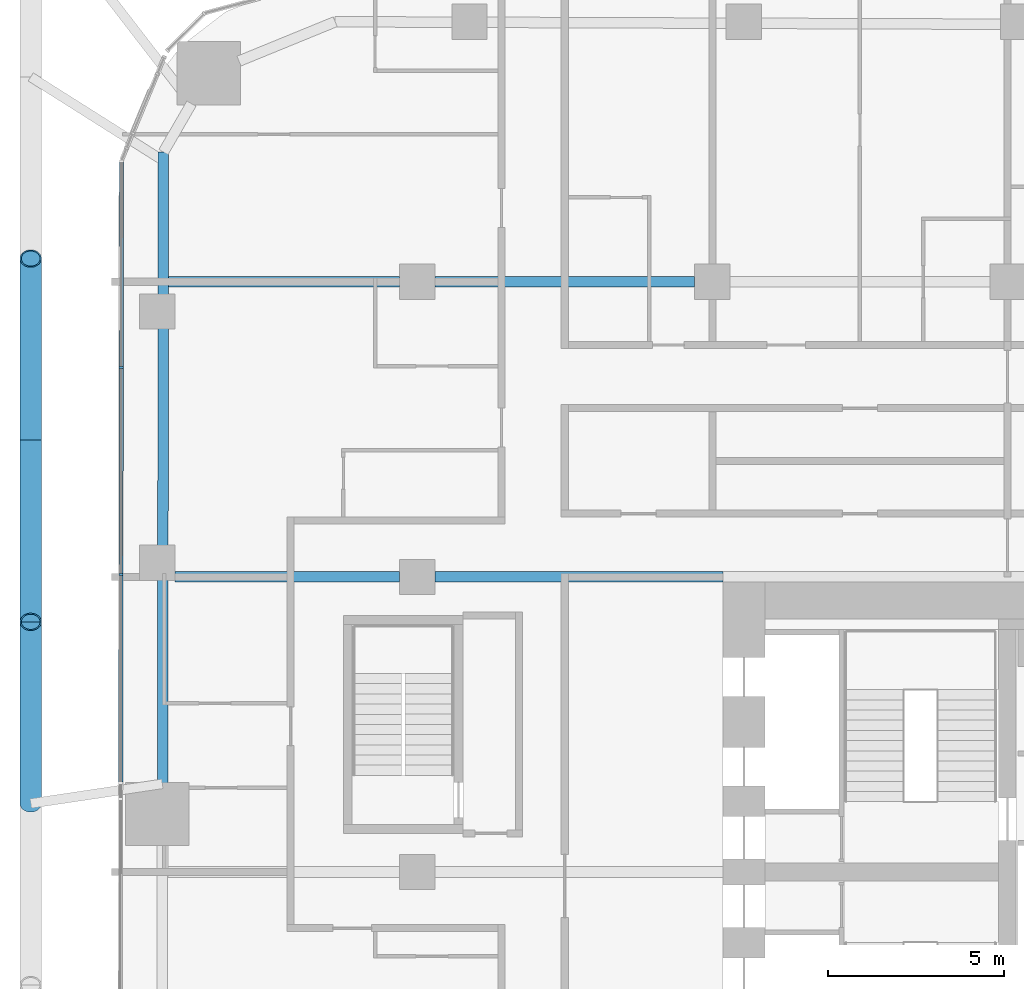
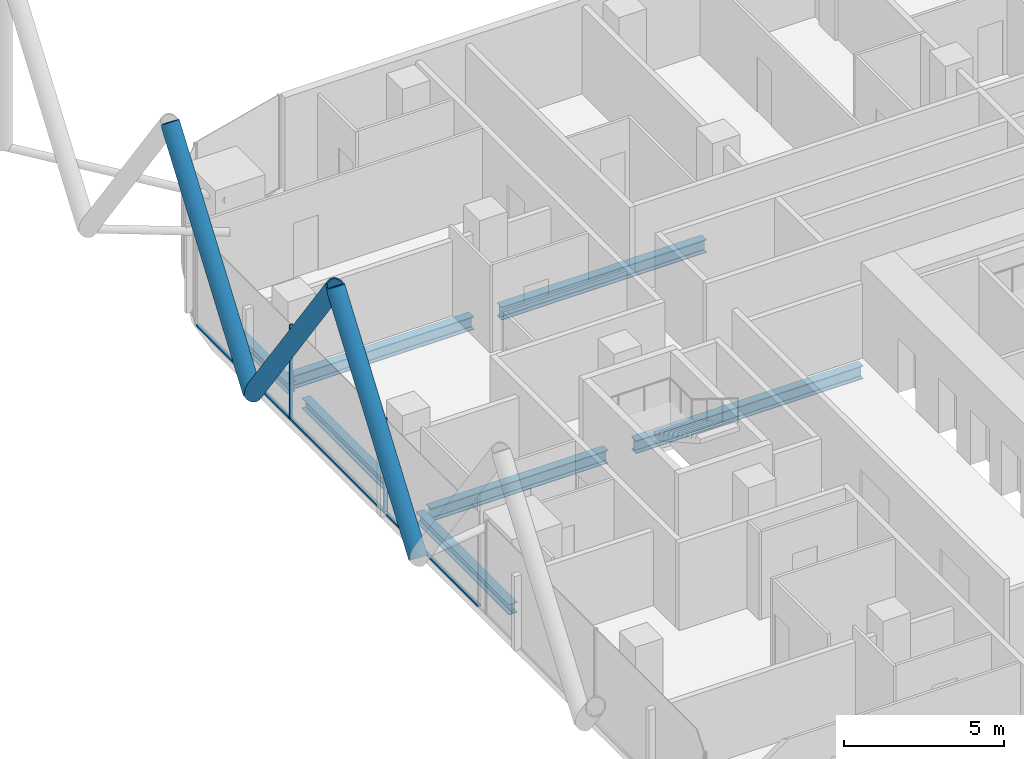
# One storey, part 9 of 38: 8 members, 7 beams, 1 element without a shape of its own.
"""IFC4 building model written with IfcOpenShell, lengths in metres."""

from ifc_helpers import new_model, si_unit, direction, frame, origin, origin_2d, place, context, subcontext, project, spatial, rectangle, hollow_circle, i_section, extrude, material, layer, layer_set, material_profile, profile_set, type_object, element, aggregate, save


model = new_model("IFC4")

# Units and contexts
model_context = context("Model", 3, precision=1e-05, world=origin(), true_north=direction((0.0, 1.0)))
body_context = subcontext(model_context, "Body", "Model", "MODEL_VIEW")
ifc_project = project(units=[si_unit("LENGTHUNIT", "METRE"), si_unit("AREAUNIT", "SQUARE_METRE"), si_unit("VOLUMEUNIT", "CUBIC_METRE"), si_unit("PLANEANGLEUNIT", "RADIAN"), si_unit("MASSUNIT", "GRAM", prefix="KILO")], contexts=[model_context])

# Site, building, storey
site_placement = place(None, origin())
site = spatial("IfcSite", under=ifc_project, at=site_placement, CompositionType="ELEMENT")
building_placement = place(site_placement, origin())
building = spatial("IfcBuilding", under=site, at=building_placement, Name="Marenta Gate Hotel Tower", CompositionType="ELEMENT")
storey_placement = place(building_placement, frame((0.0, 0.0, 68.89990234375)))
storey = spatial("IfcBuildingStorey", under=building, at=storey_placement, Name="L15", CompositionType="ELEMENT", Elevation=68.89990234375)

# Members
ifc_material_1 = material(Name="Steel S355J2W", Category="steel")
ifc_material_profile_1 = material_profile(ifc_material_1, hollow_circle(Radius=0.304931640625, WallThickness=0.0400390625, at=origin_2d()), Name="CHS 610x40")
ifc_profile_set_1 = profile_set([ifc_material_profile_1], Name="Steel S355J2W")
member_type_1 = type_object("IfcMemberType", Name="Diagrid diagonal Z1 CHS 610x40", PredefinedType="BRACE", material=ifc_profile_set_1)
member_1_placement = place(storey_placement, frame((-32.0, 10.349853515625, 3.14013671875), z_axis=(0.0, 0.583279014058, 0.812271870595), x_axis=(-1.0, 0.0, 0.0)))
element("IfcMember", 1, at=member_1_placement, inside=storey, type_object=member_type_1, Name="L15-DG-30", PredefinedType="BRACE", context=body_context, shape_type="SweptSolid", body=[
    extrude(hollow_circle(Radius=0.304931640625, WallThickness=0.0400390625, at=origin_2d()), origin(), (0.0, 0.0, 1.0), 8.864013671875),
])
member_2_placement = place(storey_placement, frame((-32.0, 20.68994140625, 3.14013671875), z_axis=(0.0, -0.583260841117, 0.812284919975), x_axis=(1.0, 0.0, 0.0)))
element("IfcMember", 2, at=member_2_placement, inside=storey, type_object=member_type_1, Name="L15-DG-31", PredefinedType="BRACE", context=body_context, shape_type="SweptSolid", body=[
    extrude(hollow_circle(Radius=0.304931640625, WallThickness=0.0400390625, at=origin_2d()), origin(), (0.0, 0.0, 1.0), 8.86376953125),
])
member_3_placement = place(storey_placement, frame((-32.0, 20.68994140625, 3.14013671875), z_axis=(0.0, 0.583279014058, 0.812271870595), x_axis=(-1.0, 0.0, 0.0)))
element("IfcMember", 3, at=member_3_placement, inside=storey, type_object=member_type_1, Name="L15-DG-32", PredefinedType="BRACE", context=body_context, shape_type="SweptSolid", body=[
    extrude(hollow_circle(Radius=0.304931640625, WallThickness=0.0400390625, at=origin_2d()), origin(), (0.0, 0.0, 1.0), 8.864013671875),
])

# Beams
ifc_material_2 = material(Name="Steel S355", Category="steel")
ifc_material_profile_2 = material_profile(ifc_material_2, i_section(OverallWidth=0.300048828125, OverallDepth=0.39990234375, WebThickness=0.013427734375, FlangeThickness=0.02392578125, FilletRadius=0.027099609375, at=origin_2d()), Name="HEB 400")
ifc_profile_set_2 = profile_set([ifc_material_profile_2], Name="Steel S355")
beam_type_1 = type_object("IfcBeamType", Name="Edge beam HEB 400", PredefinedType="SPANDREL", material=ifc_profile_set_2)
beam_1_placement = place(storey_placement, frame((-28.246337890625, 10.909912109375, -0.4599609375), z_axis=(0.001423009483, 0.999998987521, 0.0), x_axis=(-0.999998987521, 0.001423009483, 0.0)))
element("IfcBeam", 4, at=beam_1_placement, inside=storey, type_object=beam_type_1, Name="L15-EB-8", PredefinedType="SPANDREL", context=body_context, shape_type="SweptSolid", body=[
    extrude(i_section(OverallWidth=0.300048828125, OverallDepth=0.39990234375, WebThickness=0.013427734375, FlangeThickness=0.02392578125, FilletRadius=0.027099609375, at=origin_2d()), origin(), (0.0, 0.0, 1.0), 5.833251953125),
])
beam_2_placement = place(storey_placement, frame((-28.23681640625, 17.6630859375, -0.4599609375), z_axis=(0.001370827476, 0.999999060416, 0.0), x_axis=(-0.999999060416, 0.001370827476, 0.0)))
element("IfcBeam", 5, at=beam_2_placement, inside=storey, type_object=beam_type_1, Name="L15-EB-9", PredefinedType="SPANDREL", context=body_context, shape_type="SweptSolid", body=[
    extrude(i_section(OverallWidth=0.300048828125, OverallDepth=0.39990234375, WebThickness=0.013427734375, FlangeThickness=0.02392578125, FilletRadius=0.027099609375, at=origin_2d()), origin(), (0.0, 0.0, 1.0), 6.2333984375),
])
beam_3_placement = place(storey_placement, frame((-28.22705078125, 24.81640625, -0.4599609375), z_axis=(0.001377821732, 0.999999050803, 0.0), x_axis=(-0.999999050803, 0.001377821732, 0.0)))
element("IfcBeam", 6, at=beam_3_placement, inside=storey, type_object=beam_type_1, Name="L15-EB-10", PredefinedType="SPANDREL", context=body_context, shape_type="SweptSolid", body=[
    extrude(i_section(OverallWidth=0.300048828125, OverallDepth=0.39990234375, WebThickness=0.013427734375, FlangeThickness=0.02392578125, FilletRadius=0.027099609375, at=origin_2d()), origin(), (0.0, 0.0, 1.0), 4.075439453125),
])
ifc_material_3 = material(Name="Steel S355", Category="steel")
ifc_material_profile_3 = material_profile(ifc_material_3, i_section(OverallWidth=0.300048828125, OverallDepth=0.5, WebThickness=0.014404296875, FlangeThickness=0.028076171875, FilletRadius=0.027099609375, at=origin_2d()), Name="HEB 500")
ifc_profile_set_3 = profile_set([ifc_material_profile_3], Name="Steel S355")
beam_type_2 = type_object("IfcBeamType", Name="Girder HEB 500", PredefinedType="BEAM", material=ifc_profile_set_3)
beam_4_placement = place(storey_placement, frame((-27.89990234375, 16.800048828125, -0.510009765625), z_axis=(1.0, 0.0, 0.0), x_axis=(0.0, 1.0, 0.0)))
element("IfcBeam", 7, at=beam_4_placement, inside=storey, type_object=beam_type_2, Name="L15-GD-17", PredefinedType="BEAM", context=body_context, shape_type="SweptSolid", body=[
    extrude(i_section(OverallWidth=0.300048828125, OverallDepth=0.5, WebThickness=0.014404296875, FlangeThickness=0.028076171875, FilletRadius=0.027099609375, at=origin_2d()), origin(), (0.0, 0.0, 1.0), 6.39990234375),
])
beam_5_placement = place(storey_placement, frame((-20.5, 16.800048828125, -0.510009765625), z_axis=(1.0, 0.0, 0.0), x_axis=(0.0, 1.0, 0.0)))
element("IfcBeam", 8, at=beam_5_placement, inside=storey, type_object=beam_type_2, Name="L15-GD-18", PredefinedType="BEAM", context=body_context, shape_type="SweptSolid", body=[
    extrude(i_section(OverallWidth=0.300048828125, OverallDepth=0.5, WebThickness=0.014404296875, FlangeThickness=0.028076171875, FilletRadius=0.027099609375, at=origin_2d()), origin(), (0.0, 0.0, 1.0), 8.199951171875),
])
beam_6_placement = place(storey_placement, frame((-28.076416015625, 25.199951171875, -0.510009765625), z_axis=(1.0, 0.0, 0.0), x_axis=(0.0, 1.0, 0.0)))
element("IfcBeam", 9, at=beam_6_placement, inside=storey, type_object=beam_type_2, Name="L15-GD-22", PredefinedType="BEAM", context=body_context, shape_type="SweptSolid", body=[
    extrude(i_section(OverallWidth=0.300048828125, OverallDepth=0.5, WebThickness=0.014404296875, FlangeThickness=0.028076171875, FilletRadius=0.027099609375, at=origin_2d()), origin(), (0.0, 0.0, 1.0), 6.576416015625),
])
beam_7_placement = place(storey_placement, frame((-20.5, 25.199951171875, -0.510009765625), z_axis=(1.0, 0.0, 0.0), x_axis=(0.0, 1.0, 0.0)))
element("IfcBeam", 10, at=beam_7_placement, inside=storey, type_object=beam_type_2, Name="L15-GD-23", PredefinedType="BEAM", context=body_context, shape_type="SweptSolid", body=[
    extrude(i_section(OverallWidth=0.300048828125, OverallDepth=0.5, WebThickness=0.014404296875, FlangeThickness=0.028076171875, FilletRadius=0.027099609375, at=origin_2d()), origin(), (0.0, 0.0, 1.0), 7.39990234375),
])

# Curtain wall, members
ifc_material_4 = material(Name="Tinted insulated glass in bronze anodised frame", Category="glass")
ifc_layer = layer(ifc_material_4, 0.1201171875)
ifc_layer_set = layer_set([ifc_layer], Name="Tinted insulated glass in bronze anodised frame")
curtain_wall_type = type_object("IfcCurtainWallType", Name="Tower unitised curtain wall CW1", PredefinedType="NOTDEFINED", material=ifc_layer_set)
curtain_wall_placement = place(storey_placement, origin())
curtain_wall = element("IfcCurtainWall", 11, at=curtain_wall_placement, inside=storey, type_object=curtain_wall_type, Name="CW1 run G06", PredefinedType="NOTDEFINED")
ifc_material_5 = material(Name="Bronze anodised aluminium", Category="aluminium")
ifc_material_profile_4 = material_profile(ifc_material_5, rectangle(XDim=0.1201171875, YDim=0.06005859375, at=origin_2d()), Name="Mullion CW1 60x120 bronze anodised aluminium")
ifc_profile_set_4 = profile_set([ifc_material_profile_4], Name="Bronze anodised aluminium")
member_type_2 = type_object("IfcMemberType", Name="Mullion CW1 60x120 bronze anodised aluminium", PredefinedType="MULLION", material=ifc_profile_set_4)
member_4_placement = place(storey_placement, frame((-29.421630859375, 22.764404296875, 0.0), z_axis=(0.0, 0.0, 1.0), x_axis=(0.999998767315, -0.001570149369, 0.0)))
member_4 = element("IfcMember", 12, at=member_4_placement, type_object=member_type_2, Name="CW1 mullion 2", PredefinedType="MULLION", context=body_context, shape_type="SweptSolid", body=[
    extrude(rectangle(XDim=0.1201171875, YDim=0.06005859375, at=origin_2d()), origin(), (0.0, 0.0, 1.0), 3.60009765625),
])
member_5_placement = place(storey_placement, frame((-29.430908203125, 16.862548828125, 0.0), z_axis=(0.0, 0.0, 1.0), x_axis=(0.999998767315, -0.001570149369, 0.0)))
member_5 = element("IfcMember", 13, at=member_5_placement, type_object=member_type_2, Name="CW1 mullion 3", PredefinedType="MULLION", context=body_context, shape_type="SweptSolid", body=[
    extrude(rectangle(XDim=0.1201171875, YDim=0.06005859375, at=origin_2d()), origin(), (0.0, 0.0, 1.0), 3.60009765625),
])
ifc_material_6 = material(Name="Bronze anodised aluminium", Category="aluminium")
ifc_material_profile_5 = material_profile(ifc_material_6, rectangle(XDim=0.1201171875, YDim=0.06005859375, at=origin_2d()), Name="Transom CW1 60x120 bronze anodised aluminium")
ifc_profile_set_5 = profile_set([ifc_material_profile_5], Name="Bronze anodised aluminium")
member_type_3 = type_object("IfcMemberType", Name="Transom CW1 60x120 bronze anodised aluminium", PredefinedType="USERDEFINED", material=ifc_profile_set_5)
member_6_placement = place(storey_placement, frame((-29.412353515625, 28.606201171875, 0.030029296875), z_axis=(-0.001596301264, -0.99999872591, 0.0), x_axis=(0.99999872591, -0.001596301264, 0.0)))
member_6 = element("IfcMember", 14, at=member_6_placement, type_object=member_type_3, Name="CW1 transom 1.1", ObjectType="TRANSOM", PredefinedType="USERDEFINED", context=body_context, shape_type="SweptSolid", body=[
    extrude(rectangle(XDim=0.1201171875, YDim=0.06005859375, at=origin_2d()), origin(), (0.0, 0.0, 1.0), 5.811767578125),
])
member_7_placement = place(storey_placement, frame((-29.421630859375, 22.734375, 0.030029296875), z_axis=(-0.001588095624, -0.999998738975, 0.0), x_axis=(0.999998738975, -0.001588095624, 0.0)))
member_7 = element("IfcMember", 15, at=member_7_placement, type_object=member_type_3, Name="CW1 transom 2.1", ObjectType="TRANSOM", PredefinedType="USERDEFINED", context=body_context, shape_type="SweptSolid", body=[
    extrude(rectangle(XDim=0.1201171875, YDim=0.06005859375, at=origin_2d()), origin(), (0.0, 0.0, 1.0), 5.841796875),
])
member_8_placement = place(storey_placement, frame((-29.430908203125, 16.832763671875, 0.030029296875), z_axis=(-0.001579973913, -0.99999875184, 0.0), x_axis=(0.99999875184, -0.001579973913, 0.0)))
member_8 = element("IfcMember", 16, at=member_8_placement, type_object=member_type_3, Name="CW1 transom 3.1", ObjectType="TRANSOM", PredefinedType="USERDEFINED", context=body_context, shape_type="SweptSolid", body=[
    extrude(rectangle(XDim=0.1201171875, YDim=0.06005859375, at=origin_2d()), origin(), (0.0, 0.0, 1.0), 5.871826171875),
])
aggregate(curtain_wall, [member_4, member_5, member_6, member_7, member_8])

save(model, "model.ifc")
